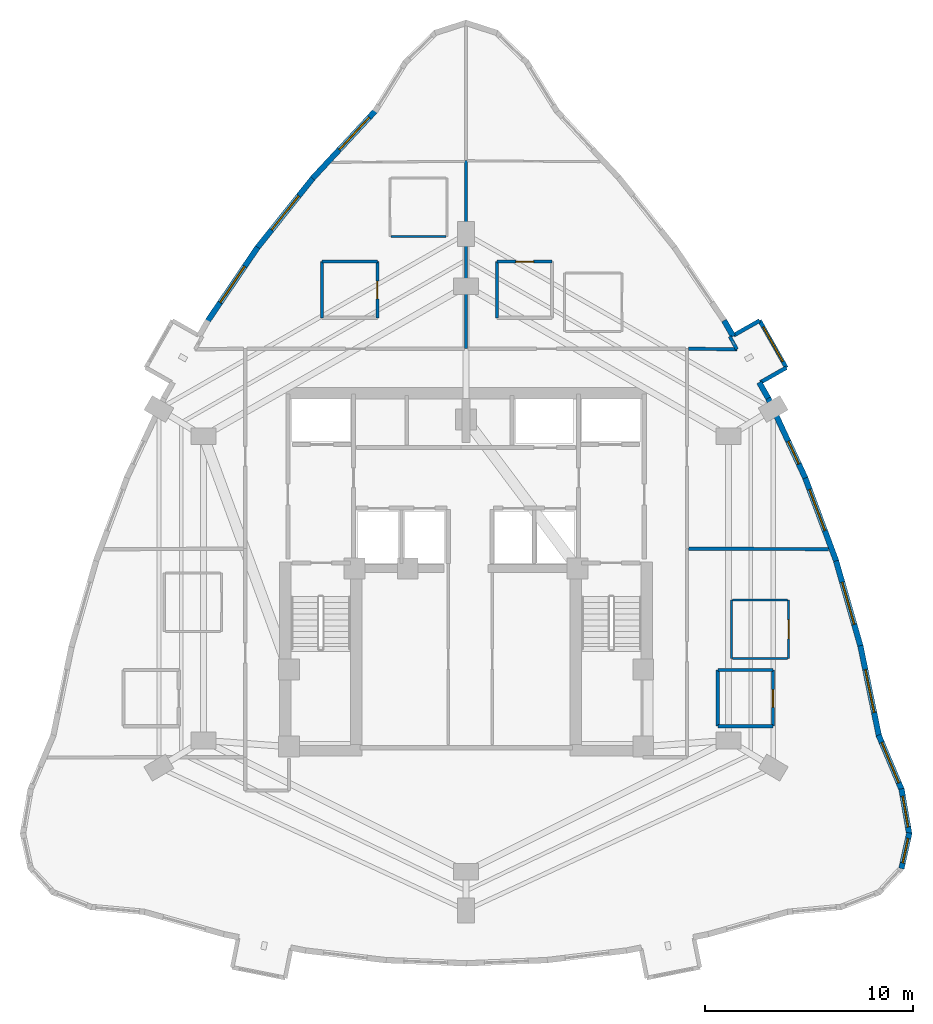
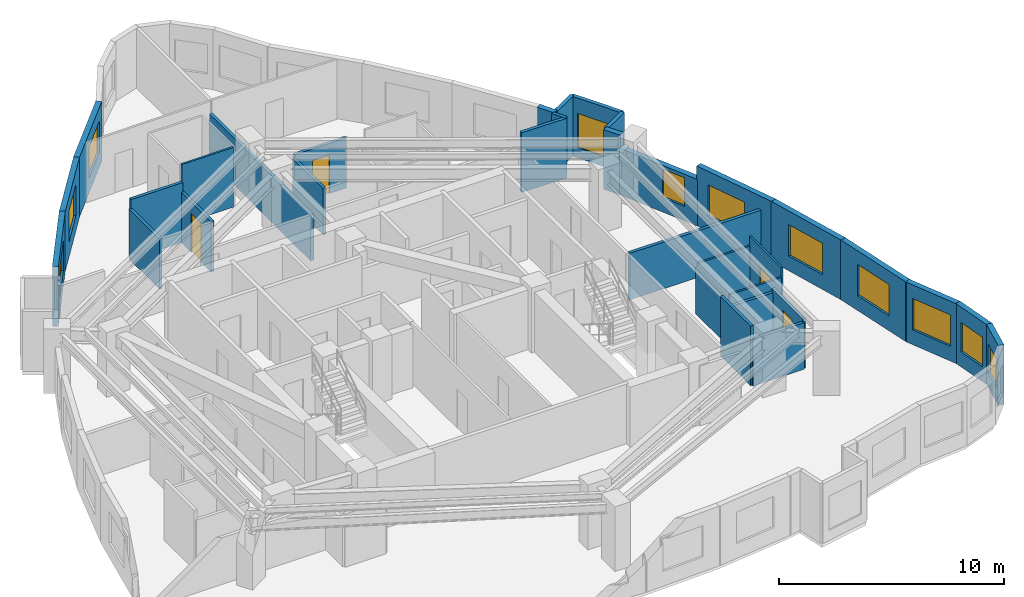
# One storey, part 8 of 10: 33 walls, 11 windows, 4 doors, 15 openings.
"""IFC4 building model written with IfcOpenShell, lengths in metres."""

import ifcopenshell
import ifcopenshell.guid

model = None  # the IFC model being written
_history = None  # IfcOwnerHistory: only IFC2X3 demands one
_inside = {}  # id of a spatial element -> (the spatial element, [elements in it])
_under = {}  # id of a project, library or spatial element -> (it, [spatial elements below it])
_declared = {}  # id of a project -> (the project, [libraries it declares])
_typed = {}  # id of a type object -> (the type object, [elements of that type])
_made_of = {}  # id of a material, layer set ... -> (it, [elements and type objects made of it])


def new_model(schema):
    """Start an empty IFC model of exactly this schema.

    Asked for "IFC4X3", IfcOpenShell would pick the latest addendum, in which some entities
    have other attributes; the version numbers below select the first issue.
    IFC2X3 requires an IfcOwnerHistory on every rooted entity: one is made here for all.
    """
    global model, _history
    if schema == "IFC4X3":
        model = ifcopenshell.file(schema_version=(4, 3, 0, 0))
    else:
        model = ifcopenshell.file(schema=schema)
    _inside.clear()
    _under.clear()
    _declared.clear()
    _typed.clear()
    _made_of.clear()
    _history = None
    if model.schema == "IFC2X3":
        org = make("IfcOrganization", Name="unknown")
        user = make(
            "IfcPersonAndOrganization",
            ThePerson=make("IfcPerson", FamilyName="unknown"),
            TheOrganization=org,
        )
        app = make(
            "IfcApplication",
            ApplicationDeveloper=org,
            Version="unknown",
            ApplicationFullName="unknown",
            ApplicationIdentifier="unknown",
        )
        _history = make(
            "IfcOwnerHistory",
            OwningUser=user,
            OwningApplication=app,
            ChangeAction="ADDED",
            CreationDate=0,
        )
    return model


def make(cls, **values):
    """One entity of the class cls with the attributes given. An attribute that is None is left unset."""
    return model.create_entity(
        cls, **{name: value for name, value in values.items() if value is not None}
    )


def rooted(cls, **values):
    """An entity with a GlobalId (a new one), such as an element, a storey or a relation."""
    return make(cls, GlobalId=ifcopenshell.guid.new(), OwnerHistory=_history, **values)


def si_unit(unit_type, name, prefix=None):
    """IfcSIUnit, for example si_unit("LENGTHUNIT", "METRE", prefix="MILLI")."""
    return make("IfcSIUnit", UnitType=unit_type, Prefix=prefix, Name=name)


def assignment(units):
    """IfcUnitAssignment: the units of a project."""
    return None if units is None else make("IfcUnitAssignment", Units=units)


def point(xyz):
    """IfcCartesianPoint."""
    return None if xyz is None else make("IfcCartesianPoint", Coordinates=xyz)


def direction(xyz):
    """IfcDirection."""
    return None if xyz is None else make("IfcDirection", DirectionRatios=xyz)


def frame(location, z_axis=None, x_axis=None):
    """IfcAxis2Placement3D, a coordinate frame: its origin and axes. An axis left out is left unset."""
    return make(
        "IfcAxis2Placement3D",
        Location=point(location),
        Axis=direction(z_axis),
        RefDirection=direction(x_axis),
    )


def frame_2d(location, x_axis=None):
    """IfcAxis2Placement2D, a coordinate frame in the plane: its origin and x axis."""
    return make(
        "IfcAxis2Placement2D", Location=point(location), RefDirection=direction(x_axis)
    )


def origin():
    """The frame at (0, 0, 0) with its axes left unset."""
    return frame((0.0, 0.0, 0.0))


def place(relative_to, where):
    """IfcLocalPlacement: puts the frame where relative to a parent placement (None: the world)."""
    return make(
        "IfcLocalPlacement", PlacementRelTo=relative_to, RelativePlacement=where
    )


def context(
    kind, dimensions, precision=None, world=None, true_north=None, identifier=None
):
    """IfcGeometricRepresentationContext, for example the 3D "Model" context."""
    return make(
        "IfcGeometricRepresentationContext",
        ContextIdentifier=identifier,
        ContextType=kind,
        CoordinateSpaceDimension=dimensions,
        Precision=precision,
        WorldCoordinateSystem=world,
        TrueNorth=true_north,
    )


def subcontext(parent, identifier, kind, view, scale=None):
    """IfcGeometricRepresentationSubContext, for example "Body" below "Model"."""
    return make(
        "IfcGeometricRepresentationSubContext",
        ContextIdentifier=identifier,
        ContextType=kind,
        ParentContext=parent,
        TargetScale=scale,
        TargetView=view,
    )


def project(units=None, contexts=None):
    """IfcProject with its units and contexts."""
    return rooted(
        "IfcProject",
        Name="project",
        RepresentationContexts=contexts,
        UnitsInContext=assignment(units),
    )


def spatial(cls, under=None, at=None, **own):
    """A site, building, storey or space (cls), placed at a placement, below another one or the project."""
    s = rooted(cls, ObjectPlacement=at, **own)
    if under is not None:
        _under.setdefault(under.id(), (under, []))[1].append(s)
    return s


def profile(cls, at=None, kind="AREA", **sizes):
    """A parametric profile (cls). Its sizes go by their IFC names, for example OverallWidth=200.0."""
    return make(cls, ProfileType=kind, Position=at, **sizes)


def rectangle(**sizes):
    """IfcRectangleProfileDef."""
    return profile("IfcRectangleProfileDef", **sizes)


def extrude(swept, where, along, depth):
    """IfcExtrudedAreaSolid: the profile swept, set in the frame where, extruded along a direction by depth."""
    return make(
        "IfcExtrudedAreaSolid",
        SweptArea=swept,
        Position=where,
        ExtrudedDirection=direction(along),
        Depth=depth,
    )


def shape(context_of_items, identifier, shape_type, items):
    """IfcShapeRepresentation: the items that make up one representation, for example the "Body"."""
    return make(
        "IfcShapeRepresentation",
        ContextOfItems=context_of_items,
        RepresentationIdentifier=identifier,
        RepresentationType=shape_type,
        Items=items,
    )


def material(Name=None, Category=None):
    """IfcMaterial."""
    return make("IfcMaterial", Name=Name, Category=Category)


def layer(
    of_material, thickness, ventilated=None, Name=None, Category=None, Priority=None
):
    """IfcMaterialLayer: one layer of a wall or slab, of a material (None: an air gap)."""
    return make(
        "IfcMaterialLayer",
        Material=of_material,
        LayerThickness=thickness,
        IsVentilated=ventilated,
        Name=Name,
        Category=Category,
        Priority=Priority,
    )


def layer_set(layers, Name=None):
    """IfcMaterialLayerSet."""
    return make("IfcMaterialLayerSet", MaterialLayers=layers, LayerSetName=Name)


def made_of(thing, what):
    """Note that an element or type object is made of a material, layer set ...; save() writes the relation."""
    if what is not None:
        _made_of.setdefault(what.id(), (what, []))[1].append(thing)
    return thing


def type_object(cls, material=None, **own):
    """A type object (cls), such as IfcWallType, which elements share."""
    return made_of(rooted(cls, **own), material)


def element(
    cls,
    number,
    at=None,
    inside=None,
    cuts=None,
    type_object=None,
    material=None,
    context=None,
    identifier="Body",
    shape_type=None,
    held_by="IfcProductDefinitionShape",
    body=None,
    shapes=None,
    **own,
):
    """One element of the class cls, such as IfcWall. Its Tag is "e" and its number.

    at: its placement. inside: the storey or other place that contains it. cuts: it is an
    opening in that element (IfcRelVoidsElement). A single representation is given by context,
    identifier, shape_type and body (its items); several are given by shapes. held_by: the class
    of the entity that holds the representations. save() writes the other relations.
    """
    e = rooted(cls, Tag="e%d" % number, ObjectPlacement=at, **own)
    if body is not None:
        shapes = [shape(context, identifier, shape_type, body)]
    if shapes is not None:
        e.Representation = make(held_by, Representations=shapes)
    if inside is not None:
        _inside.setdefault(inside.id(), (inside, []))[1].append(e)
    if cuts is not None:
        rooted(
            "IfcRelVoidsElement", RelatingBuildingElement=cuts, RelatedOpeningElement=e
        )
    if type_object is not None:
        _typed.setdefault(type_object.id(), (type_object, []))[1].append(e)
    return made_of(e, material)


def fill(opening, filler):
    """IfcRelFillsElement: the door or window that sits in an opening."""
    return rooted(
        "IfcRelFillsElement",
        RelatingOpeningElement=opening,
        RelatedBuildingElement=filler,
    )


def aggregate(whole, parts):
    """IfcRelAggregates: a whole, such as a stair, and the parts it consists of."""
    return rooted("IfcRelAggregates", RelatingObject=whole, RelatedObjects=parts)


def save(model, path):
    """Write the relations noted so far, then the file.

    IfcRelAggregates (storeys below a building ...), IfcRelContainedInSpatialStructure (elements
    in a storey), IfcRelDefinesByType, IfcRelAssociatesMaterial and IfcRelDeclares: one each for
    every whole, place, type object, material and project.
    """
    for whole, parts in _under.values():
        aggregate(whole, parts)
    for where, things in _inside.values():
        rooted(
            "IfcRelContainedInSpatialStructure",
            RelatedElements=things,
            RelatingStructure=where,
        )
    for kind, things in _typed.values():
        rooted("IfcRelDefinesByType", RelatedObjects=things, RelatingType=kind)
    for what, things in _made_of.values():
        rooted("IfcRelAssociatesMaterial", RelatedObjects=things, RelatingMaterial=what)
    for by, libraries in _declared.values():
        rooted("IfcRelDeclares", RelatingContext=by, RelatedDefinitions=libraries)
    model.write(path)


model = new_model("IFC4")

# Units and contexts
model_context = context("Model", 3, precision=1e-05, world=origin(), true_north=direction((0.0, 1.0)))
body_context = subcontext(model_context, "Body", "Model", "MODEL_VIEW")
ifc_project = project(units=[si_unit("LENGTHUNIT", "METRE"), si_unit("AREAUNIT", "SQUARE_METRE"), si_unit("VOLUMEUNIT", "CUBIC_METRE"), si_unit("PLANEANGLEUNIT", "RADIAN"), si_unit("MASSUNIT", "GRAM", prefix="KILO")], contexts=[model_context])

# Site, building, storey
site_placement = place(None, origin())
site = spatial("IfcSite", under=ifc_project, at=site_placement, CompositionType="ELEMENT")
building_placement = place(site_placement, origin())
building = spatial("IfcBuilding", under=site, at=building_placement, Name="Miruveldt Soraemaru", CompositionType="ELEMENT")
storey_placement = place(building_placement, frame((0.0, 0.0, 163.39990234375)))
storey = spatial("IfcBuildingStorey", under=building, at=storey_placement, Name="L45", CompositionType="ELEMENT", Elevation=163.39990234375)

# Walls
ifc_material_1 = material(Name="White powder-coated aluminium EN AW-6060 T6", Category="aluminium")
ifc_layer_1 = layer(ifc_material_1, 0.18994140625, Name="White powder-coated aluminium EN AW-6060 T6", Category="aluminium")
ifc_layer_set_1 = layer_set([ifc_layer_1], Name="White powder-coated aluminium EN AW-6060 T6")
wall_type_1 = type_object("IfcWallType", Name="WALL-BAY-ALU190", PredefinedType="SOLIDWALL", material=ifc_layer_set_1)
for number, where, z_axis, x_axis, name in (
    (1, (58.132080078125, 52.982666015625, 0.0), (0.0, 0.0, 1.0), (0.869799191674, 0.493405883794, 0.0), "L45 Bay Window Side Cheek 4L"),
    (2, (58.0888671875, 55.947265625, 0.0), (0.0, 0.0, 1.0), (-0.869799191674, -0.493405883794, 0.0), "L45 Bay Window Side Cheek 4R"),
):
    element("IfcWall", number, at=place(storey_placement, frame(where, z_axis=z_axis, x_axis=x_axis)), inside=storey, type_object=wall_type_1, Name=name, PredefinedType="SOLIDWALL", context=body_context, shape_type="SweptSolid", body=[
        extrude(rectangle(XDim=1.425048828125, YDim=0.18994140625, at=frame_2d((0.71240234375, 0.0))), origin(), (0.0, 0.0, 1.0), 3.235107421875),
    ])

# Wall, opening, window
wall_1_placement = place(storey_placement, frame((59.37158203125, 53.685791015625, 0.0), z_axis=(0.0, 0.0, 1.0), x_axis=(-0.493365555553, 0.869822067203, 0.0)))
wall_1 = element("IfcWall", 3, at=wall_1_placement, inside=storey, type_object=wall_type_1, Name="L45 Bay Window Front Frame 4", PredefinedType="SOLIDWALL", context=body_context, shape_type="SweptSolid", body=[
    extrude(rectangle(XDim=2.599853515625, YDim=0.18994140625, at=frame_2d((1.2998046875, 0.0))), origin(), (0.0, 0.0, 1.0), 3.235107421875),
])
opening_1_placement = place(wall_1_placement, frame((0.35009765625, 0.0, 0.550048828125)))
opening_1 = element("IfcOpeningElement", 4, at=opening_1_placement, cuts=wall_1, Name="Opening WN-6", PredefinedType="OPENING", context=body_context, shape_type="SweptSolid", body=[
    extrude(rectangle(XDim=1.89990234375, YDim=1.85009765625, at=frame_2d((0.949951171875, 0.925048828125))), frame((0.0, 0.10498046875, 0.0), z_axis=(0.0, -1.0, 0.0), x_axis=(1.0, 0.0, 0.0)), (0.0, 0.0, 1.0), 0.2099609375),
])
ifc_material_2 = material(Name="Triple low-e insulated glazing", Category="glass")
window_type_1 = type_object("IfcWindowType", Name="WIN-BAYW-1900x1850", PartitioningType="SINGLE_PANEL", PredefinedType="WINDOW", material=ifc_material_2)
window_1_placement = place(opening_1_placement, origin())
window_1 = element("IfcWindow", 5, at=window_1_placement, inside=storey, type_object=window_type_1, Name="L45 Projecting Bay Window 4", OverallHeight=1.85009765625, OverallWidth=1.89990234375, PartitioningType="SINGLE_PANEL", PredefinedType="WINDOW", context=body_context, shape_type="SweptSolid", body=[
    extrude(rectangle(XDim=1.89990234375, YDim=1.85009765625, at=frame_2d((0.949951171875, 0.925048828125))), frame((0.0, 0.030029296875, 0.0), z_axis=(0.0, -1.0, 0.0), x_axis=(1.0, 0.0, 0.0)), (0.0, 0.0, 1.0), 0.06005859375),
])
fill(opening_1, window_1)

ifc_material_3 = material(Name="Precast concrete C45/55 (45 MPa)", Category="concrete")
ifc_layer_2 = layer(ifc_material_3, 0.27001953125, Name="Precast concrete C45/55 (45 MPa)", Category="concrete")
ifc_layer_set_2 = layer_set([ifc_layer_2], Name="Precast concrete C45/55 (45 MPa)")
wall_type_2 = type_object("IfcWallType", Name="WALL-EXT-PC270", PredefinedType="SOLIDWALL", material=ifc_layer_set_2)
wall_2_placement = place(storey_placement, frame((39.665771484375, 66.03076171875, 0.0), z_axis=(0.0, 0.0, 1.0), x_axis=(-0.680840456656, -0.732431752848, 0.0)))
wall_2 = element("IfcWall", 6, at=wall_2_placement, inside=storey, type_object=wall_type_2, Name="L45 Precast Concrete Facade Wall 7", PredefinedType="SOLIDWALL", context=body_context, shape_type="SweptSolid", body=[
    extrude(rectangle(XDim=4.4482421875, YDim=0.27001953125, at=frame_2d((2.22412109375, 0.0))), origin(), (0.0, 0.0, 1.0), 3.235107421875),
])
opening_2_placement = place(wall_2_placement, frame((0.4609375, 0.0, 0.800048828125)))
opening_2 = element("IfcOpeningElement", 7, at=opening_2_placement, cuts=wall_2, Name="Opening WN-1", PredefinedType="OPENING", context=body_context, shape_type="SweptSolid", body=[
    extrude(rectangle(XDim=2.10009765625, YDim=1.699951171875, at=frame_2d((1.050048828125, 0.85009765625))), frame((0.0, 0.14501953125, 0.0), z_axis=(0.0, -1.0, 0.0), x_axis=(1.0, 0.0, 0.0)), (0.0, 0.0, 1.0), 0.2900390625),
])
window_type_2 = type_object("IfcWindowType", Name="WIN-PUNCH-2100x1700", PartitioningType="SINGLE_PANEL", PredefinedType="WINDOW", material=ifc_material_2)
window_2_placement = place(opening_2_placement, origin())
window_2 = element("IfcWindow", 8, at=window_2_placement, inside=storey, type_object=window_type_2, Name="L45 Punched Triple-Glazed Window 07.1", OverallHeight=1.699951171875, OverallWidth=2.10009765625, PartitioningType="SINGLE_PANEL", PredefinedType="WINDOW", context=body_context, shape_type="SweptSolid", body=[
    extrude(rectangle(XDim=2.10009765625, YDim=1.699951171875, at=frame_2d((1.050048828125, 0.85009765625))), frame((0.0, 0.030029296875, 0.0), z_axis=(0.0, -1.0, 0.0), x_axis=(1.0, 0.0, 0.0)), (0.0, 0.0, 1.0), 0.06005859375),
])
fill(opening_2, window_2)

wall_3_placement = place(storey_placement, frame((36.6826171875, 62.82568359375, 0.0), z_axis=(0.0, 0.0, 1.0), x_axis=(-0.623611033504, -0.781734788079, 0.0)))
wall_3 = element("IfcWall", 9, at=wall_3_placement, inside=storey, type_object=wall_type_2, Name="L45 Precast Concrete Facade Wall 8", PredefinedType="SOLIDWALL", context=body_context, shape_type="SweptSolid", body=[
    extrude(rectangle(XDim=4.369384765625, YDim=0.27001953125, at=frame_2d((2.1845703125, 0.0))), origin(), (0.0, 0.0, 1.0), 3.235107421875),
])
opening_3_placement = place(wall_3_placement, frame((1.135009765625, 0.0, 0.800048828125)))
opening_3 = element("IfcOpeningElement", 10, at=opening_3_placement, cuts=wall_3, Name="Opening WN-1", PredefinedType="OPENING", context=body_context, shape_type="SweptSolid", body=[
    extrude(rectangle(XDim=2.10009765625, YDim=1.699951171875, at=frame_2d((1.050048828125, 0.85009765625))), frame((0.0, 0.14501953125, 0.0), z_axis=(0.0, -1.0, 0.0), x_axis=(1.0, 0.0, 0.0)), (0.0, 0.0, 1.0), 0.2900390625),
])
window_3_placement = place(opening_3_placement, origin())
window_3 = element("IfcWindow", 11, at=window_3_placement, inside=storey, type_object=window_type_2, Name="L45 Punched Triple-Glazed Window 08.1", OverallHeight=1.699951171875, OverallWidth=2.10009765625, PartitioningType="SINGLE_PANEL", PredefinedType="WINDOW", context=body_context, shape_type="SweptSolid", body=[
    extrude(rectangle(XDim=2.10009765625, YDim=1.699951171875, at=frame_2d((1.050048828125, 0.85009765625))), frame((0.0, 0.030029296875, 0.0), z_axis=(0.0, -1.0, 0.0), x_axis=(1.0, 0.0, 0.0)), (0.0, 0.0, 1.0), 0.06005859375),
])
fill(opening_3, window_3)

wall_4_placement = place(storey_placement, frame((33.9990234375, 59.46630859375, 0.0), z_axis=(0.0, 0.0, 1.0), x_axis=(-0.560806873165, -0.827946647442, 0.0)))
wall_4 = element("IfcWall", 12, at=wall_4_placement, inside=storey, type_object=wall_type_2, Name="L45 Precast Concrete Facade Wall 9", PredefinedType="SOLIDWALL", context=body_context, shape_type="SweptSolid", body=[
    extrude(rectangle(XDim=4.31640625, YDim=0.27001953125, at=frame_2d((2.158203125, 0.0))), origin(), (0.0, 0.0, 1.0), 3.235107421875),
])
opening_4_placement = place(wall_4_placement, frame((1.10791015625, 0.0, 0.800048828125)))
opening_4 = element("IfcOpeningElement", 13, at=opening_4_placement, cuts=wall_4, Name="Opening WN-1", PredefinedType="OPENING", context=body_context, shape_type="SweptSolid", body=[
    extrude(rectangle(XDim=2.10009765625, YDim=1.699951171875, at=frame_2d((1.050048828125, 0.85009765625))), frame((0.0, 0.14501953125, 0.0), z_axis=(0.0, -1.0, 0.0), x_axis=(1.0, 0.0, 0.0)), (0.0, 0.0, 1.0), 0.2900390625),
])
window_4_placement = place(opening_4_placement, origin())
window_4 = element("IfcWindow", 14, at=window_4_placement, inside=storey, type_object=window_type_2, Name="L45 Punched Triple-Glazed Window 09.1", OverallHeight=1.699951171875, OverallWidth=2.10009765625, PartitioningType="SINGLE_PANEL", PredefinedType="WINDOW", context=body_context, shape_type="SweptSolid", body=[
    extrude(rectangle(XDim=2.10009765625, YDim=1.699951171875, at=frame_2d((1.050048828125, 0.85009765625))), frame((0.0, 0.030029296875, 0.0), z_axis=(0.0, -1.0, 0.0), x_axis=(1.0, 0.0, 0.0)), (0.0, 0.0, 1.0), 0.06005859375),
])
fill(opening_4, window_4)

wall_5_placement = place(storey_placement, frame((64.89453125, 29.64990234375, 0.0), z_axis=(0.0, 0.0, 1.0), x_axis=(0.215809905257, 0.976435397142, 0.0)))
wall_5 = element("IfcWall", 15, at=wall_5_placement, inside=storey, type_object=wall_type_2, Name="L45 Precast Concrete Facade Wall 32", PredefinedType="SOLIDWALL", context=body_context, shape_type="SweptSolid", body=[
    extrude(rectangle(XDim=1.75341796875, YDim=0.27001953125, at=frame_2d((0.876708984375, 0.0))), origin(), (0.0, 0.0, 1.0), 3.235107421875),
])
opening_5_placement = place(wall_5_placement, frame((0.277099609375, 0.0, 0.780029296875)))
opening_5 = element("IfcOpeningElement", 16, at=opening_5_placement, cuts=wall_5, Name="Opening WN-4", PredefinedType="OPENING", context=body_context, shape_type="SweptSolid", body=[
    extrude(rectangle(XDim=1.199951171875, YDim=1.550048828125, at=frame_2d((0.60009765625, 0.77490234375))), frame((0.0, 0.14501953125, 0.0), z_axis=(0.0, -1.0, 0.0), x_axis=(1.0, 0.0, 0.0)), (0.0, 0.0, 1.0), 0.2900390625),
])
window_type_3 = type_object("IfcWindowType", Name="WIN-PUNCH-1200x1550", PartitioningType="SINGLE_PANEL", PredefinedType="WINDOW", material=ifc_material_2)
window_5_placement = place(opening_5_placement, origin())
window_5 = element("IfcWindow", 17, at=window_5_placement, inside=storey, type_object=window_type_3, Name="L45 Punched Triple-Glazed Window 32.1", OverallHeight=1.550048828125, OverallWidth=1.199951171875, PartitioningType="SINGLE_PANEL", PredefinedType="WINDOW", context=body_context, shape_type="SweptSolid", body=[
    extrude(rectangle(XDim=1.199951171875, YDim=1.550048828125, at=frame_2d((0.60009765625, 0.77490234375))), frame((0.0, 0.030029296875, 0.0), z_axis=(0.0, -1.0, 0.0), x_axis=(1.0, 0.0, 0.0)), (0.0, 0.0, 1.0), 0.06005859375),
])
fill(opening_5, window_5)

wall_6_placement = place(storey_placement, frame((65.271240234375, 31.293212890625, 0.0), z_axis=(0.0, 0.0, 1.0), x_axis=(-0.169330983726, 0.985559241218, 0.0)))
wall_6 = element("IfcWall", 18, at=wall_6_placement, inside=storey, type_object=wall_type_2, Name="L45 Precast Concrete Facade Wall 33", PredefinedType="SOLIDWALL", context=body_context, shape_type="SweptSolid", body=[
    extrude(rectangle(XDim=2.214599609375, YDim=0.27001953125, at=frame_2d((1.107421875, 0.0))), origin(), (0.0, 0.0, 1.0), 3.235107421875),
])
opening_6_placement = place(wall_6_placement, frame((0.35693359375, 0.0, 0.800048828125)))
opening_6 = element("IfcOpeningElement", 19, at=opening_6_placement, cuts=wall_6, Name="Opening WN-3", PredefinedType="OPENING", context=body_context, shape_type="SweptSolid", body=[
    extrude(rectangle(XDim=1.5, YDim=1.60009765625, at=frame_2d((0.75, 0.800048828125))), frame((0.0, 0.14501953125, 0.0), z_axis=(0.0, -1.0, 0.0), x_axis=(1.0, 0.0, 0.0)), (0.0, 0.0, 1.0), 0.2900390625),
])
window_type_4 = type_object("IfcWindowType", Name="WIN-PUNCH-1500x1600", PartitioningType="SINGLE_PANEL", PredefinedType="WINDOW", material=ifc_material_2)
window_6_placement = place(opening_6_placement, origin())
window_6 = element("IfcWindow", 20, at=window_6_placement, inside=storey, type_object=window_type_4, Name="L45 Punched Triple-Glazed Window 33.1", OverallHeight=1.60009765625, OverallWidth=1.5, PartitioningType="SINGLE_PANEL", PredefinedType="WINDOW", context=body_context, shape_type="SweptSolid", body=[
    extrude(rectangle(XDim=1.5, YDim=1.60009765625, at=frame_2d((0.75, 0.800048828125))), frame((0.0, 0.030029296875, 0.0), z_axis=(0.0, -1.0, 0.0), x_axis=(1.0, 0.0, 0.0)), (0.0, 0.0, 1.0), 0.06005859375),
])
fill(opening_6, window_6)

wall_7_placement = place(storey_placement, frame((64.915771484375, 33.4091796875, 0.0), z_axis=(0.0, 0.0, 1.0), x_axis=(-0.388641898972, 0.921388883351, 0.0)))
wall_7 = element("IfcWall", 21, at=wall_7_placement, inside=storey, type_object=wall_type_2, Name="L45 Precast Concrete Facade Wall 34", PredefinedType="SOLIDWALL", context=body_context, shape_type="SweptSolid", body=[
    extrude(rectangle(XDim=2.873291015625, YDim=0.27001953125, at=frame_2d((1.4365234375, 0.0))), origin(), (0.0, 0.0, 1.0), 3.235107421875),
])
opening_7_placement = place(wall_7_placement, frame((0.386962890625, 0.0, 0.800048828125)))
opening_7 = element("IfcOpeningElement", 22, at=opening_7_placement, cuts=wall_7, Name="Opening WN-1", PredefinedType="OPENING", context=body_context, shape_type="SweptSolid", body=[
    extrude(rectangle(XDim=2.10009765625, YDim=1.699951171875, at=frame_2d((1.050048828125, 0.85009765625))), frame((0.0, 0.14501953125, 0.0), z_axis=(0.0, -1.0, 0.0), x_axis=(1.0, 0.0, 0.0)), (0.0, 0.0, 1.0), 0.2900390625),
])
window_7_placement = place(opening_7_placement, origin())
window_7 = element("IfcWindow", 23, at=window_7_placement, inside=storey, type_object=window_type_2, Name="L45 Punched Triple-Glazed Window 34.1", OverallHeight=1.699951171875, OverallWidth=2.10009765625, PartitioningType="SINGLE_PANEL", PredefinedType="WINDOW", context=body_context, shape_type="SweptSolid", body=[
    extrude(rectangle(XDim=2.10009765625, YDim=1.699951171875, at=frame_2d((1.050048828125, 0.85009765625))), frame((0.0, 0.030029296875, 0.0), z_axis=(0.0, -1.0, 0.0), x_axis=(1.0, 0.0, 0.0)), (0.0, 0.0, 1.0), 0.06005859375),
])
fill(opening_7, window_7)

wall_8_placement = place(storey_placement, frame((63.81982421875, 35.990234375, 0.0), z_axis=(0.0, 0.0, 1.0), x_axis=(-0.201580139361, 0.979472024825, 0.0)))
wall_8 = element("IfcWall", 24, at=wall_8_placement, inside=storey, type_object=wall_type_2, Name="L45 Precast Concrete Facade Wall 35", PredefinedType="SOLIDWALL", context=body_context, shape_type="SweptSolid", body=[
    extrude(rectangle(XDim=4.448486328125, YDim=0.27001953125, at=frame_2d((2.22412109375, 0.0))), origin(), (0.0, 0.0, 1.0), 3.235107421875),
])
opening_8_placement = place(wall_8_placement, frame((1.174072265625, 0.0, 0.800048828125)))
opening_8 = element("IfcOpeningElement", 25, at=opening_8_placement, cuts=wall_8, Name="Opening WN-1", PredefinedType="OPENING", context=body_context, shape_type="SweptSolid", body=[
    extrude(rectangle(XDim=2.10009765625, YDim=1.699951171875, at=frame_2d((1.050048828125, 0.85009765625))), frame((0.0, 0.14501953125, 0.0), z_axis=(0.0, -1.0, 0.0), x_axis=(1.0, 0.0, 0.0)), (0.0, 0.0, 1.0), 0.2900390625),
])
window_8_placement = place(opening_8_placement, origin())
window_8 = element("IfcWindow", 26, at=window_8_placement, inside=storey, type_object=window_type_2, Name="L45 Punched Triple-Glazed Window 35.1", OverallHeight=1.699951171875, OverallWidth=2.10009765625, PartitioningType="SINGLE_PANEL", PredefinedType="WINDOW", context=body_context, shape_type="SweptSolid", body=[
    extrude(rectangle(XDim=2.10009765625, YDim=1.699951171875, at=frame_2d((1.050048828125, 0.85009765625))), frame((0.0, 0.030029296875, 0.0), z_axis=(0.0, -1.0, 0.0), x_axis=(1.0, 0.0, 0.0)), (0.0, 0.0, 1.0), 0.06005859375),
])
fill(opening_8, window_8)

wall_9_placement = place(storey_placement, frame((62.939697265625, 40.279296875, 0.0), z_axis=(0.0, 0.0, 1.0), x_axis=(-0.274935112835, 0.961462783331, 0.0)))
wall_9 = element("IfcWall", 27, at=wall_9_placement, inside=storey, type_object=wall_type_2, Name="L45 Precast Concrete Facade Wall 36", PredefinedType="SOLIDWALL", context=body_context, shape_type="SweptSolid", body=[
    extrude(rectangle(XDim=4.369873046875, YDim=0.27001953125, at=frame_2d((2.18505859375, 0.0))), origin(), (0.0, 0.0, 1.0), 3.235107421875),
])
opening_9_placement = place(wall_9_placement, frame((1.135009765625, 0.0, 0.800048828125)))
opening_9 = element("IfcOpeningElement", 28, at=opening_9_placement, cuts=wall_9, Name="Opening WN-1", PredefinedType="OPENING", context=body_context, shape_type="SweptSolid", body=[
    extrude(rectangle(XDim=2.10009765625, YDim=1.699951171875, at=frame_2d((1.050048828125, 0.85009765625))), frame((0.0, 0.14501953125, 0.0), z_axis=(0.0, -1.0, 0.0), x_axis=(1.0, 0.0, 0.0)), (0.0, 0.0, 1.0), 0.2900390625),
])
window_9_placement = place(opening_9_placement, origin())
window_9 = element("IfcWindow", 29, at=window_9_placement, inside=storey, type_object=window_type_2, Name="L45 Punched Triple-Glazed Window 36.1", OverallHeight=1.699951171875, OverallWidth=2.10009765625, PartitioningType="SINGLE_PANEL", PredefinedType="WINDOW", context=body_context, shape_type="SweptSolid", body=[
    extrude(rectangle(XDim=2.10009765625, YDim=1.699951171875, at=frame_2d((1.050048828125, 0.85009765625))), frame((0.0, 0.030029296875, 0.0), z_axis=(0.0, -1.0, 0.0), x_axis=(1.0, 0.0, 0.0)), (0.0, 0.0, 1.0), 0.06005859375),
])
fill(opening_9, window_9)

wall_10_placement = place(storey_placement, frame((61.760009765625, 44.4140625, 0.0), z_axis=(0.0, 0.0, 1.0), x_axis=(-0.349039876874, 0.937107872313, 0.0)))
wall_10 = element("IfcWall", 30, at=wall_10_placement, inside=storey, type_object=wall_type_2, Name="L45 Precast Concrete Facade Wall 37", PredefinedType="SOLIDWALL", context=body_context, shape_type="SweptSolid", body=[
    extrude(rectangle(XDim=4.31640625, YDim=0.27001953125, at=frame_2d((2.158203125, 0.0))), origin(), (0.0, 0.0, 1.0), 3.235107421875),
])
opening_10_placement = place(wall_10_placement, frame((1.556884765625, 0.0, 0.800048828125)))
opening_10 = element("IfcOpeningElement", 31, at=opening_10_placement, cuts=wall_10, Name="Opening WN-1", PredefinedType="OPENING", context=body_context, shape_type="SweptSolid", body=[
    extrude(rectangle(XDim=2.10009765625, YDim=1.699951171875, at=frame_2d((1.050048828125, 0.85009765625))), frame((0.0, 0.14501953125, 0.0), z_axis=(0.0, -1.0, 0.0), x_axis=(1.0, 0.0, 0.0)), (0.0, 0.0, 1.0), 0.2900390625),
])
window_10_placement = place(opening_10_placement, origin())
window_10 = element("IfcWindow", 32, at=window_10_placement, inside=storey, type_object=window_type_2, Name="L45 Punched Triple-Glazed Window 37.1", OverallHeight=1.699951171875, OverallWidth=2.10009765625, PartitioningType="SINGLE_PANEL", PredefinedType="WINDOW", context=body_context, shape_type="SweptSolid", body=[
    extrude(rectangle(XDim=2.10009765625, YDim=1.699951171875, at=frame_2d((1.050048828125, 0.85009765625))), frame((0.0, 0.030029296875, 0.0), z_axis=(0.0, -1.0, 0.0), x_axis=(1.0, 0.0, 0.0)), (0.0, 0.0, 1.0), 0.06005859375),
])
fill(opening_10, window_10)

wall_11_placement = place(storey_placement, frame((60.280517578125, 48.39453125, 0.0), z_axis=(0.0, 0.0, 1.0), x_axis=(-0.422296510574, 0.906457752549, 0.0)))
wall_11 = element("IfcWall", 33, at=wall_11_placement, inside=storey, type_object=wall_type_2, Name="L45 Precast Concrete Facade Wall 38", PredefinedType="SOLIDWALL", context=body_context, shape_type="SweptSolid", body=[
    extrude(rectangle(XDim=4.289794921875, YDim=0.27001953125, at=frame_2d((2.14501953125, 0.0))), origin(), (0.0, 0.0, 1.0), 2.523193359375),
])
opening_11_placement = place(wall_11_placement, frame((0.740966796875, 0.0, 0.780029296875)))
opening_11 = element("IfcOpeningElement", 34, at=opening_11_placement, cuts=wall_11, Name="Opening WN-4", PredefinedType="OPENING", context=body_context, shape_type="SweptSolid", body=[
    extrude(rectangle(XDim=1.199951171875, YDim=1.550048828125, at=frame_2d((0.60009765625, 0.77490234375))), frame((0.0, 0.14501953125, 0.0), z_axis=(0.0, -1.0, 0.0), x_axis=(1.0, 0.0, 0.0)), (0.0, 0.0, 1.0), 0.2900390625),
])
window_11_placement = place(opening_11_placement, origin())
window_11 = element("IfcWindow", 35, at=window_11_placement, inside=storey, type_object=window_type_3, Name="L45 Punched Triple-Glazed Window 38.1", OverallHeight=1.550048828125, OverallWidth=1.199951171875, PartitioningType="SINGLE_PANEL", PredefinedType="WINDOW", context=body_context, shape_type="SweptSolid", body=[
    extrude(rectangle(XDim=1.199951171875, YDim=1.550048828125, at=frame_2d((0.60009765625, 0.77490234375))), frame((0.0, 0.030029296875, 0.0), z_axis=(0.0, -1.0, 0.0), x_axis=(1.0, 0.0, 0.0)), (0.0, 0.0, 1.0), 0.06005859375),
])
fill(opening_11, window_11)

# Walls
for number, where, z_axis, x_axis, name in (
    (36, (58.501220703125, 52.220703125, 0.0), (0.0, 0.0, 1.0), (-0.493371618473, 0.86981862827, 0.0), "L45 Precast Pier Wall 39A"),
    (37, (56.81640625, 55.19091796875, 0.0), (0.0, 0.0, 1.0), (-0.493371618473, 0.86981862827, 0.0), "L45 Precast Pier Wall 39B"),
):
    element("IfcWall", number, at=place(storey_placement, frame(where, z_axis=z_axis, x_axis=x_axis)), inside=storey, type_object=wall_type_2, Name=name, PredefinedType="SOLIDWALL", context=body_context, shape_type="SweptSolid", body=[
        extrude(rectangle(XDim=0.875, YDim=0.27001953125, at=frame_2d((0.4375, 0.0))), origin(), (0.0, 0.0, 1.0), 3.235107421875),
    ])

# Wall, opening, door
ifc_material_4 = material(Name="Gypsum plasterboard lining", Category="gypsum")
ifc_layer_3 = layer(ifc_material_4, 0.10009765625, Name="Gypsum plasterboard lining", Category="gypsum")
ifc_layer_set_3 = layer_set([ifc_layer_3], Name="Gypsum plasterboard lining")
wall_type_3 = type_object("IfcWallType", Name="WALL-INT-P100", PredefinedType="PARTITIONING", material=ifc_layer_set_3)
wall_12_placement = place(storey_placement, frame((59.47998046875, 39.72998046875, 0.0), z_axis=(0.0, 0.0, 1.0), x_axis=(0.0, 1.0, 0.0)))
wall_12 = element("IfcWall", 38, at=wall_12_placement, inside=storey, type_object=wall_type_3, Name="L45 Partition Wall 48", PredefinedType="PARTITIONING", context=body_context, shape_type="SweptSolid", body=[
    extrude(rectangle(XDim=2.800048828125, YDim=0.10009765625, at=frame_2d((1.39990234375, 0.0))), origin(), (0.0, 0.0, 1.0), 3.235107421875),
])
opening_12_placement = place(wall_12_placement, frame((0.93994140625, 0.0, 0.0)))
opening_12 = element("IfcOpeningElement", 39, at=opening_12_placement, cuts=wall_12, Name="Opening D3A", PredefinedType="OPENING", context=body_context, shape_type="SweptSolid", body=[
    extrude(rectangle(XDim=0.919921875, YDim=2.10009765625, at=frame_2d((0.4599609375, 1.050048828125))), frame((0.0, 0.06005859375, 0.0), z_axis=(0.0, -1.0, 0.0), x_axis=(1.0, 0.0, 0.0)), (0.0, 0.0, 1.0), 0.1201171875),
])
ifc_material_5 = material(Name="Anodised aluminium EN AW-6063 T6", Category="aluminium")
door_type_1 = type_object("IfcDoorType", Name="DOOR-INT-920", OperationType="NOTDEFINED", PredefinedType="DOOR", material=ifc_material_5)
door_1_placement = place(opening_12_placement, origin())
door_1 = element("IfcDoor", 40, at=door_1_placement, inside=storey, type_object=door_type_1, Name="L45 Unit 4506 KIT Door", OperationType="SINGLE_SWING_LEFT", OverallHeight=2.10009765625, OverallWidth=0.919921875, PredefinedType="DOOR", context=body_context, shape_type="SweptSolid", body=[
    extrude(rectangle(XDim=0.919921875, YDim=2.10009765625, at=frame_2d((0.4599609375, 1.050048828125))), frame((0.0, 0.02490234375, 0.0), z_axis=(0.0, -1.0, 0.0), x_axis=(1.0, 0.0, 0.0)), (0.0, 0.0, 1.0), 0.050048828125),
])
fill(opening_12, door_1)

# Walls
wall_13_placement = place(storey_placement, frame((56.72998046875, 42.530029296875, 0.0), z_axis=(0.0, 0.0, 1.0), x_axis=(0.0, -1.0, 0.0)))
element("IfcWall", 41, at=wall_13_placement, inside=storey, type_object=wall_type_3, Name="L45 Partition Wall 50", PredefinedType="PARTITIONING", context=body_context, shape_type="SweptSolid", body=[
    extrude(rectangle(XDim=2.800048828125, YDim=0.10009765625, at=frame_2d((1.39990234375, 0.0))), origin(), (0.0, 0.0, 1.0), 2.523193359375),
])
wall_14_placement = place(storey_placement, frame((40.39208984375, 59.97998046875, 0.0), z_axis=(0.0, 0.0, 1.0), x_axis=(1.0, 0.0, 0.0)))
element("IfcWall", 42, at=wall_14_placement, inside=storey, type_object=wall_type_3, Name="L45 Partition Wall 18", PredefinedType="PARTITIONING", context=body_context, shape_type="SweptSolid", body=[
    extrude(rectangle(XDim=2.64990234375, YDim=0.10009765625, at=frame_2d((1.324951171875, 0.0))), origin(), (0.0, 0.0, 1.0), 3.235107421875),
])
for number, where, z_axis, x_axis, name in (
    (43, (59.429931640625, 42.530029296875, 0.0), (0.0, 0.0, 1.0), (-1.0, 0.0, 0.0), "L45 Partition Wall 49"),
    (44, (56.780029296875, 39.72998046875, 0.0), (0.0, 0.0, 1.0), (1.0, 0.0, 0.0), "L45 Partition Wall 51"),
):
    element("IfcWall", number, at=place(storey_placement, frame(where, z_axis=z_axis, x_axis=x_axis)), inside=storey, type_object=wall_type_3, Name=name, PredefinedType="PARTITIONING", context=body_context, shape_type="SweptSolid", body=[
        extrude(rectangle(XDim=2.64990234375, YDim=0.10009765625, at=frame_2d((1.324951171875, 0.0))), origin(), (0.0, 0.0, 1.0), 2.72314453125),
    ])

# Wall, opening, door
ifc_layer_4 = layer(ifc_material_4, 0.14990234375, Name="Gypsum plasterboard lining", Category="gypsum")
ifc_layer_set_4 = layer_set([ifc_layer_4], Name="Gypsum plasterboard lining")
wall_type_4 = type_object("IfcWallType", Name="WALL-INT-PLUMB", PredefinedType="PLUMBINGWALL", material=ifc_layer_set_4)
wall_15_placement = place(storey_placement, frame((39.741943359375, 56.080078125, 0.0), z_axis=(0.0, 0.0, 1.0), x_axis=(0.0, 1.0, 0.0)))
wall_15 = element("IfcWall", 45, at=wall_15_placement, inside=storey, type_object=wall_type_4, Name="L45 Partition Wall 11", PredefinedType="PLUMBINGWALL", context=body_context, shape_type="SweptSolid", body=[
    extrude(rectangle(XDim=2.699951171875, YDim=0.14990234375, at=frame_2d((1.35009765625, 0.0))), origin(), (0.0, 0.0, 1.0), 2.72314453125),
])
opening_13_placement = place(wall_15_placement, frame((0.909912109375, 0.0, 0.0)))
opening_13 = element("IfcOpeningElement", 46, at=opening_13_placement, cuts=wall_15, Name="Opening FD3", PredefinedType="OPENING", context=body_context, shape_type="SweptSolid", body=[
    extrude(rectangle(XDim=0.85009765625, YDim=2.10009765625, at=frame_2d((0.425048828125, 1.050048828125))), frame((0.0, 0.0849609375, 0.0), z_axis=(0.0, -1.0, 0.0), x_axis=(1.0, 0.0, 0.0)), (0.0, 0.0, 1.0), 0.169921875),
])
door_type_2 = type_object("IfcDoorType", Name="DOOR-FD3-850", OperationType="NOTDEFINED", PredefinedType="DOOR", material=ifc_material_5)
door_2_placement = place(opening_13_placement, origin())
door_2 = element("IfcDoor", 47, at=door_2_placement, inside=storey, type_object=door_type_2, Name="L45 Unit 4501 BTH Door", OperationType="SINGLE_SWING_LEFT", OverallHeight=2.10009765625, OverallWidth=0.85009765625, PredefinedType="DOOR", context=body_context, shape_type="SweptSolid", body=[
    extrude(rectangle(XDim=0.85009765625, YDim=2.10009765625, at=frame_2d((0.425048828125, 1.050048828125))), frame((0.0, 0.02490234375, 0.0), z_axis=(0.0, -1.0, 0.0), x_axis=(1.0, 0.0, 0.0)), (0.0, 0.0, 1.0), 0.050048828125),
])
fill(opening_13, door_2)

wall_16_placement = place(storey_placement, frame((58.72998046875, 36.47998046875, 0.0), z_axis=(0.0, 0.0, 1.0), x_axis=(0.0, 1.0, 0.0)))
wall_16 = element("IfcWall", 48, at=wall_16_placement, inside=storey, type_object=wall_type_4, Name="L45 Partition Wall 44", PredefinedType="PLUMBINGWALL", context=body_context, shape_type="SweptSolid", body=[
    extrude(rectangle(XDim=2.699951171875, YDim=0.14990234375, at=frame_2d((1.35009765625, 0.0))), origin(), (0.0, 0.0, 1.0), 2.72314453125),
])
opening_14_placement = place(wall_16_placement, frame((0.909912109375, 0.0, 0.0)))
opening_14 = element("IfcOpeningElement", 49, at=opening_14_placement, cuts=wall_16, Name="Opening FD3", PredefinedType="OPENING", context=body_context, shape_type="SweptSolid", body=[
    extrude(rectangle(XDim=0.85009765625, YDim=2.10009765625, at=frame_2d((0.425048828125, 1.050048828125))), frame((0.0, 0.0849609375, 0.0), z_axis=(0.0, -1.0, 0.0), x_axis=(1.0, 0.0, 0.0)), (0.0, 0.0, 1.0), 0.169921875),
])
door_3_placement = place(opening_14_placement, origin())
door_3 = element("IfcDoor", 50, at=door_3_placement, inside=storey, type_object=door_type_2, Name="L45 Unit 4506 BTH Door", OperationType="SINGLE_SWING_RIGHT", OverallHeight=2.10009765625, OverallWidth=0.85009765625, PredefinedType="DOOR", context=body_context, shape_type="SweptSolid", body=[
    extrude(rectangle(XDim=0.85009765625, YDim=2.10009765625, at=frame_2d((0.425048828125, 1.050048828125))), frame((0.0, 0.02490234375, 0.0), z_axis=(0.0, -1.0, 0.0), x_axis=(1.0, 0.0, 0.0)), (0.0, 0.0, 1.0), 0.050048828125),
])
fill(opening_14, door_3)

wall_17_placement = place(storey_placement, frame((48.1298828125, 58.780029296875, 0.0), z_axis=(0.0, 0.0, 1.0), x_axis=(-1.0, 0.0, 0.0)))
wall_17 = element("IfcWall", 51, at=wall_17_placement, inside=storey, type_object=wall_type_4, Name="L45 Partition Wall 24", PredefinedType="PLUMBINGWALL", context=body_context, shape_type="SweptSolid", body=[
    extrude(rectangle(XDim=2.64990234375, YDim=0.14990234375, at=frame_2d((1.324951171875, 0.0))), origin(), (0.0, 0.0, 1.0), 2.72314453125),
])
opening_15_placement = place(wall_17_placement, frame((0.885009765625, 0.0, 0.0)))
opening_15 = element("IfcOpeningElement", 52, at=opening_15_placement, cuts=wall_17, Name="Opening FD3", PredefinedType="OPENING", context=body_context, shape_type="SweptSolid", body=[
    extrude(rectangle(XDim=0.85009765625, YDim=2.10009765625, at=frame_2d((0.425048828125, 1.050048828125))), frame((0.0, 0.0849609375, 0.0), z_axis=(0.0, -1.0, 0.0), x_axis=(1.0, 0.0, 0.0)), (0.0, 0.0, 1.0), 0.169921875),
])
door_4_placement = place(opening_15_placement, origin())
door_4 = element("IfcDoor", 53, at=door_4_placement, inside=storey, type_object=door_type_2, Name="L45 Unit 4502 BTH Door", OperationType="SINGLE_SWING_LEFT", OverallHeight=2.10009765625, OverallWidth=0.85009765625, PredefinedType="DOOR", context=body_context, shape_type="SweptSolid", body=[
    extrude(rectangle(XDim=0.85009765625, YDim=2.10009765625, at=frame_2d((0.425048828125, 1.050048828125))), frame((0.0, 0.02490234375, 0.0), z_axis=(0.0, -1.0, 0.0), x_axis=(1.0, 0.0, 0.0)), (0.0, 0.0, 1.0), 0.050048828125),
])
fill(opening_15, door_4)

# Walls
wall_18_placement = place(storey_placement, frame((37.092041015625, 58.780029296875, 0.0), z_axis=(0.0, 0.0, 1.0), x_axis=(0.0, -1.0, 0.0)))
element("IfcWall", 54, at=wall_18_placement, inside=storey, type_object=wall_type_4, Name="L45 Partition Wall 13", PredefinedType="PLUMBINGWALL", context=body_context, shape_type="SweptSolid", body=[
    extrude(rectangle(XDim=2.699951171875, YDim=0.14990234375, at=frame_2d((1.35009765625, 0.0))), origin(), (0.0, 0.0, 1.0), 2.72314453125),
])
wall_19_placement = place(storey_placement, frame((45.47998046875, 58.780029296875, 0.0), z_axis=(0.0, 0.0, 1.0), x_axis=(0.0, -1.0, 0.0)))
element("IfcWall", 55, at=wall_19_placement, inside=storey, type_object=wall_type_4, Name="L45 Partition Wall 25", PredefinedType="PLUMBINGWALL", context=body_context, shape_type="SweptSolid", body=[
    extrude(rectangle(XDim=2.699951171875, YDim=0.14990234375, at=frame_2d((1.35009765625, 0.0))), origin(), (0.0, 0.0, 1.0), 2.523193359375),
])
wall_20_placement = place(storey_placement, frame((56.080078125, 39.179931640625, 0.0), z_axis=(0.0, 0.0, 1.0), x_axis=(0.0, -1.0, 0.0)))
element("IfcWall", 56, at=wall_20_placement, inside=storey, type_object=wall_type_4, Name="L45 Partition Wall 46", PredefinedType="PLUMBINGWALL", context=body_context, shape_type="SweptSolid", body=[
    extrude(rectangle(XDim=2.699951171875, YDim=0.14990234375, at=frame_2d((1.35009765625, 0.0))), origin(), (0.0, 0.0, 1.0), 3.235107421875),
])
wall_21_placement = place(storey_placement, frame((39.741943359375, 58.780029296875, 0.0), z_axis=(0.0, 0.0, 1.0), x_axis=(-1.0, 0.0, 0.0)))
element("IfcWall", 57, at=wall_21_placement, inside=storey, type_object=wall_type_4, Name="L45 Partition Wall 12", PredefinedType="PLUMBINGWALL", context=body_context, shape_type="SweptSolid", body=[
    extrude(rectangle(XDim=2.64990234375, YDim=0.14990234375, at=frame_2d((1.324951171875, 0.0))), origin(), (0.0, 0.0, 1.0), 3.235107421875),
])
for number, where, z_axis, x_axis, name in (
    (58, (58.72998046875, 39.179931640625, 0.0), (0.0, 0.0, 1.0), (-1.0, 0.0, 0.0), "L45 Partition Wall 45"),
    (59, (56.080078125, 36.47998046875, 0.0), (0.0, 0.0, 1.0), (1.0, 0.0, 0.0), "L45 Partition Wall 47"),
):
    element("IfcWall", number, at=place(storey_placement, frame(where, z_axis=z_axis, x_axis=x_axis)), inside=storey, type_object=wall_type_4, Name=name, PredefinedType="PLUMBINGWALL", context=body_context, shape_type="SweptSolid", body=[
        extrude(rectangle(XDim=2.64990234375, YDim=0.14990234375, at=frame_2d((1.324951171875, 0.0))), origin(), (0.0, 0.0, 1.0), 2.523193359375),
    ])
ifc_material_6 = material(Name="Concrete C40/50 (40 MPa)", Category="concrete")
ifc_layer_5 = layer(ifc_material_6, 0.159912109375, Name="Concrete C40/50 (40 MPa)", Category="concrete")
ifc_layer_set_5 = layer_set([ifc_layer_5], Name="Concrete C40/50 (40 MPa)")
wall_type_5 = type_object("IfcWallType", Name="WALL-INT-RC160", PredefinedType="SOLIDWALL", material=ifc_layer_set_5)
wall_22_placement = place(storey_placement, frame((44.0, 54.60302734375, 0.0), z_axis=(0.0, 0.0, 1.0), x_axis=(0.0, 1.0, 0.0)))
element("IfcWall", 60, at=wall_22_placement, inside=storey, type_object=wall_type_5, Name="L45 Partition Wall 20", PredefinedType="SOLIDWALL", context=body_context, shape_type="SweptSolid", body=[
    extrude(rectangle(XDim=9.014892578125, YDim=0.159912109375, at=frame_2d((4.50732421875, 0.0))), origin(), (0.0, 0.0, 1.0), 2.523193359375),
])
wall_23_placement = place(storey_placement, frame((54.68701171875, 45.0, 0.0), z_axis=(0.0, 0.0, 1.0), x_axis=(0.999994627102, -0.003278073809, 0.0)))
element("IfcWall", 61, at=wall_23_placement, inside=storey, type_object=wall_type_5, Name="L45 Partition Wall 43", PredefinedType="SOLIDWALL", context=body_context, shape_type="SweptSolid", body=[
    extrude(rectangle(XDim=6.702880859375, YDim=0.159912109375, at=frame_2d((3.3515625, 0.0))), origin(), (0.0, 0.0, 1.0), 2.523193359375),
])
wall_24_placement = place(storey_placement, frame((54.679931640625, 54.59912109375, 0.0), z_axis=(0.0, 0.0, 1.0), x_axis=(0.999891407569, -0.014736793037, 0.0)))
element("IfcWall", 62, at=wall_24_placement, inside=storey, type_object=wall_type_5, Name="L45 Partition Wall 32", PredefinedType="SOLIDWALL", context=body_context, shape_type="SweptSolid", body=[
    extrude(rectangle(XDim=2.3193359375, YDim=0.159912109375, at=frame_2d((1.15966796875, 0.0))), origin(), (0.0, 0.0, 1.0), 3.235107421875),
])
wall_25_placement = place(storey_placement, frame((56.9990234375, 54.56494140625, 0.0), z_axis=(0.0, 0.0, 1.0), x_axis=(-0.485062759836, 0.874479341677, 0.0)))
element("IfcWall", 63, at=wall_25_placement, inside=storey, type_object=wall_type_5, Name="L45 Partition Closure Return 2", PredefinedType="SOLIDWALL", context=body_context, shape_type="SweptSolid", body=[
    extrude(rectangle(XDim=0.714599609375, YDim=0.159912109375, at=frame_2d((0.357421875, 0.0))), origin(), (0.0, 0.0, 1.0), 3.235107421875),
])

save(model, "model.ifc")
